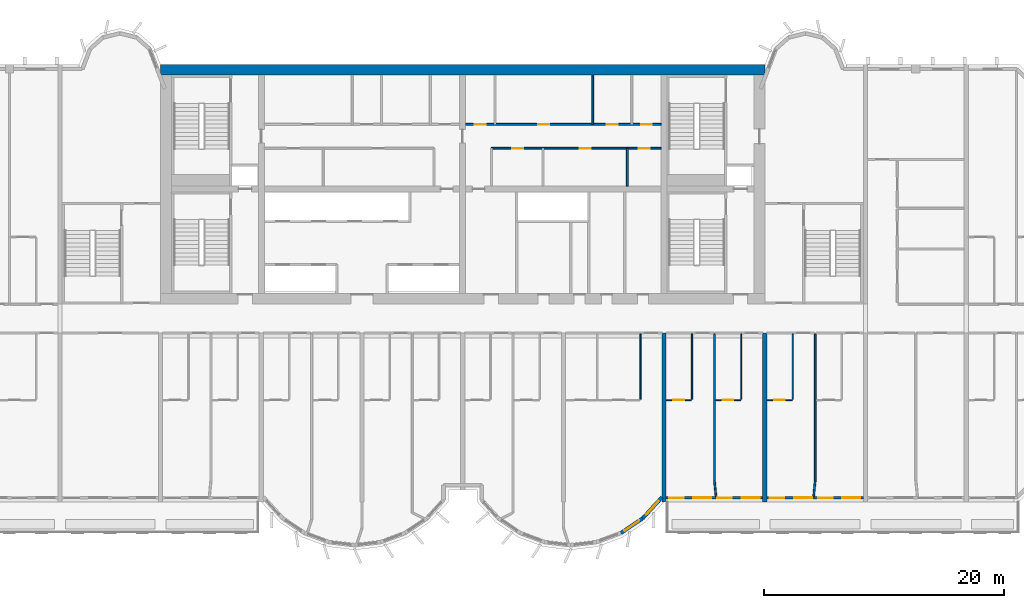
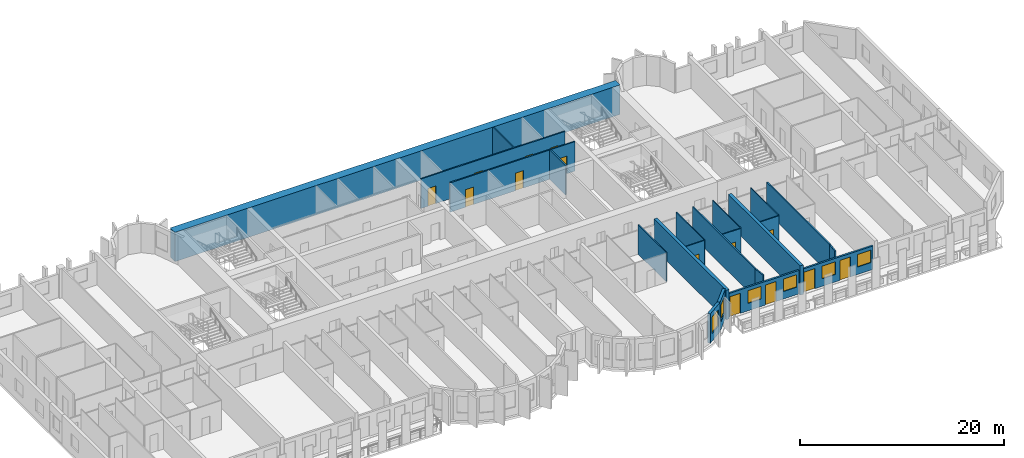
# One storey, part 8 of 15: 22 walls, 14 doors, 6 windows, 20 openings.
"""IFC4 building model written with IfcOpenShell, lengths in metres."""

from ifc_helpers import new_model, si_unit, direction, frame, frame_2d, origin, place, context, subcontext, project, spatial, rectangle, extrude, source, transform, mapped, material, layer, layer_set, type_object, element, fill, save


model = new_model("IFC4")

# Units and contexts
model_context = context("Model", 3, precision=1e-05, world=origin(), true_north=direction((0.0, 1.0)))
body_context = subcontext(model_context, "Body", "Model", "MODEL_VIEW")
ifc_project = project(units=[si_unit("LENGTHUNIT", "METRE"), si_unit("AREAUNIT", "SQUARE_METRE"), si_unit("VOLUMEUNIT", "CUBIC_METRE"), si_unit("PLANEANGLEUNIT", "RADIAN"), si_unit("MASSUNIT", "GRAM", prefix="KILO")], contexts=[model_context])

# Site, building, storey
site_placement = place(None, origin())
site = spatial("IfcSite", under=ifc_project, at=site_placement, CompositionType="ELEMENT")
building_placement = place(site_placement, origin())
building = spatial("IfcBuilding", under=site, at=building_placement, Name="Vanashikhar Sky Hotel", CompositionType="ELEMENT")
storey_placement = place(building_placement, frame((0.0, 0.0, 95.199951171875)))
storey = spatial("IfcBuildingStorey", under=building, at=storey_placement, Name="L22", CompositionType="ELEMENT", Elevation=95.199951171875)

# Walls
ifc_material_1 = material(Name="Concrete M70", Category="concrete")
ifc_layer_1 = layer(ifc_material_1, 0.89990234375)
ifc_layer_set_1 = layer_set([ifc_layer_1], Name="RC core shell wall 900 Concrete M70")
wall_type_1 = type_object("IfcWallType", Name="RC core shell wall 900 Concrete M70", PredefinedType="SHEAR", material=ifc_layer_set_1)
shared_shape_1 = source(origin(), body_context, "Body", "SweptSolid", [
    extrude(rectangle(XDim=50.400146484375, YDim=0.89990234375, at=frame_2d((25.2001953125, 0.0))), origin(), (0.0, 0.0, 1.0), 3.52001953125),
])
wall_1_placement = place(storey_placement, frame((25.199951171875, 41.550048828125, 0.0), z_axis=(0.0, 0.0, 1.0), x_axis=(1.0, 0.0, 0.0)))
element("IfcWall", 1, at=wall_1_placement, inside=storey, type_object=wall_type_1, Name="KW-L22-KN", PredefinedType="SHEAR", context=body_context, shape_type="MappedRepresentation", body=[
    mapped(shared_shape_1, transform((0.0, 0.0, 0.0), scale=1.0)),
])
ifc_layer_2 = layer(ifc_material_1, 0.35009765625)
ifc_layer_set_2 = layer_set([ifc_layer_2], Name="RC shear wall 350 Concrete M70")
wall_type_2 = type_object("IfcWallType", Name="RC shear wall 350 Concrete M70", PredefinedType="SHEAR", material=ifc_layer_set_2)
shared_shape_2 = source(origin(), body_context, "Body", "SweptSolid", [
    extrude(rectangle(XDim=14.10009765625, YDim=0.35009765625, at=frame_2d((7.050048828125, 0.0))), origin(), (0.0, 0.0, 1.0), 3.52001953125),
])
for number, where, z_axis, x_axis, name in (
    (2, (67.199951171875, 5.5, 0.0), (0.0, 0.0, 1.0), (0.0, 1.0, 0.0), "CW-L22-XW09-1"),
    (3, (75.60009765625, 5.5, 0.0), (0.0, 0.0, 1.0), (0.0, 1.0, 0.0), "CW-L22-XW10-1"),
):
    element("IfcWall", number, at=place(storey_placement, frame(where, z_axis=z_axis, x_axis=x_axis)), inside=storey, type_object=wall_type_2, Name=name, PredefinedType="SHEAR", context=body_context, shape_type="MappedRepresentation", body=[
        mapped(shared_shape_2, transform((0.0, 0.0, 0.0), scale=1.0)),
    ])

# Wall, opening, window
ifc_material_2 = material(Name="Concrete M50", Category="concrete")
ifc_layer_3 = layer(ifc_material_2, 0.300048828125)
ifc_layer_set_3 = layer_set([ifc_layer_3], Name="Lobe wall 300")
wall_type_3 = type_object("IfcWallType", Name="Lobe wall 300", PredefinedType="SOLIDWALL", material=ifc_layer_set_3)
shared_shape_3 = source(origin(), body_context, "Body", "SweptSolid", [
    extrude(rectangle(XDim=2.398193359375, YDim=0.300048828125, at=frame_2d((1.19921875, 0.0))), origin(), (0.0, 0.0, 1.0), 3.52001953125),
])
wall_2_placement = place(storey_placement, frame((65.404296875, 4.13134765625, 0.0), z_axis=(0.0, 0.0, 1.0), x_axis=(0.675374189419, 0.737475222815, 0.0)))
wall_2 = element("IfcWall", 4, at=wall_2_placement, inside=storey, type_object=wall_type_3, Name="Lobe wall", PredefinedType="SOLIDWALL", context=body_context, shape_type="MappedRepresentation", body=[
    mapped(shared_shape_3, transform((0.0, 0.0, 0.0), scale=1.0)),
])
shared_shape_4 = source(origin(), body_context, "Body", "SweptSolid", [
    extrude(rectangle(XDim=1.5, YDim=2.0, at=frame_2d((0.75, 1.0))), frame((0.0, 0.16015625, 0.0), z_axis=(0.0, -1.0, 0.0), x_axis=(1.0, 0.0, 0.0)), (0.0, 0.0, 1.0), 0.320068359375),
])
opening_1_placement = place(wall_2_placement, frame((0.44921875, 0.0, 0.89990234375)))
opening_1 = element("IfcOpeningElement", 5, at=opening_1_placement, cuts=wall_2, Name="Opening WN-2", PredefinedType="OPENING", context=body_context, shape_type="MappedRepresentation", body=[
    mapped(shared_shape_4, transform((0.0, 0.0, 0.0), scale=1.0)),
])
ifc_material_3 = material(Name="Glass", Category="glass")
window_type_1 = type_object("IfcWindowType", Name="Lobe window 1500 x 2000", PartitioningType="SINGLE_PANEL", PredefinedType="WINDOW", material=ifc_material_3)
shared_shape_5 = source(origin(), body_context, "Body", "SweptSolid", [
    extrude(rectangle(XDim=1.5, YDim=2.0, at=frame_2d((0.75, 1.0))), frame((0.0, 0.030029296875, 0.0), z_axis=(0.0, -1.0, 0.0), x_axis=(1.0, 0.0, 0.0)), (0.0, 0.0, 1.0), 0.06005859375),
])
window_1_placement = place(opening_1_placement, origin())
window_1 = element("IfcWindow", 6, at=window_1_placement, inside=storey, type_object=window_type_1, Name="Window WN-2", OverallHeight=2.0, OverallWidth=1.5, PartitioningType="SINGLE_PANEL", PredefinedType="WINDOW", context=body_context, shape_type="MappedRepresentation", body=[
    mapped(shared_shape_5, transform((0.0, 0.0, 0.0), scale=1.0)),
])
fill(opening_1, window_1)

shared_shape_6 = source(origin(), body_context, "Body", "SweptSolid", [
    extrude(rectangle(XDim=2.17578125, YDim=0.300048828125, at=frame_2d((1.087890625, 0.0))), origin(), (0.0, 0.0, 1.0), 3.52001953125),
])
wall_3_placement = place(storey_placement, frame((63.59912109375, 2.91650390625, 0.0), z_axis=(0.0, 0.0, 1.0), x_axis=(0.829625727223, 0.558319937607, 0.0)))
wall_3 = element("IfcWall", 7, at=wall_3_placement, inside=storey, type_object=wall_type_3, Name="Lobe wall", PredefinedType="SOLIDWALL", context=body_context, shape_type="MappedRepresentation", body=[
    mapped(shared_shape_6, transform((0.0, 0.0, 0.0), scale=1.0)),
])
opening_2_placement = place(wall_3_placement, frame((0.337890625, 0.0, 0.89990234375)))
opening_2 = element("IfcOpeningElement", 8, at=opening_2_placement, cuts=wall_3, Name="Opening WN-2", PredefinedType="OPENING", context=body_context, shape_type="MappedRepresentation", body=[
    mapped(shared_shape_4, transform((0.0, 0.0, 0.0), scale=1.0)),
])
window_2_placement = place(opening_2_placement, origin())
window_2 = element("IfcWindow", 9, at=window_2_placement, inside=storey, type_object=window_type_1, Name="Window WN-2", OverallHeight=2.0, OverallWidth=1.5, PartitioningType="SINGLE_PANEL", PredefinedType="WINDOW", context=body_context, shape_type="MappedRepresentation", body=[
    mapped(shared_shape_5, transform((0.0, 0.0, 0.0), scale=1.0)),
])
fill(opening_2, window_2)

# Wall, openings, windows, doors
ifc_layer_4 = layer(ifc_material_2, 0.199951171875)
ifc_layer_set_4 = layer_set([ifc_layer_4], Name="Front window wall 200")
wall_type_4 = type_object("IfcWallType", Name="Front window wall 200", PredefinedType="SOLIDWALL", material=ifc_layer_set_4)
shared_shape_7 = source(origin(), body_context, "Body", "SweptSolid", [
    extrude(rectangle(XDim=8.050048828125, YDim=0.199951171875, at=frame_2d((4.02490234375, 0.0))), origin(), (0.0, 0.0, 1.0), 2.820068359375),
])
wall_4_placement = place(storey_placement, frame((67.375, 5.85009765625, 0.0), z_axis=(0.0, 0.0, 1.0), x_axis=(1.0, 0.0, 0.0)))
wall_4 = element("IfcWall", 10, at=wall_4_placement, inside=storey, type_object=wall_type_4, Name="Front window wall", PredefinedType="SOLIDWALL", context=body_context, shape_type="MappedRepresentation", body=[
    mapped(shared_shape_7, transform((0.0, 0.0, 0.0), scale=1.0)),
])
shared_shape_8 = source(origin(), body_context, "Body", "SweptSolid", [
    extrude(rectangle(XDim=1.199951171875, YDim=2.39990234375, at=frame_2d((0.60009765625, 1.199951171875))), frame((0.0, 0.10986328125, 0.0), z_axis=(0.0, -1.0, 0.0), x_axis=(1.0, 0.0, 0.0)), (0.0, 0.0, 1.0), 0.219970703125),
])
opening_3_placement = place(wall_4_placement, frame((0.25, 0.0, 0.0)))
opening_3 = element("IfcOpeningElement", 11, at=opening_3_placement, cuts=wall_4, Name="Opening BD-08", PredefinedType="OPENING", context=body_context, shape_type="MappedRepresentation", body=[
    mapped(shared_shape_8, transform((0.0, 0.0, 0.0), scale=1.0)),
])
shared_shape_9 = source(origin(), body_context, "Body", "SweptSolid", [
    extrude(rectangle(XDim=1.5, YDim=1.5, at=frame_2d((0.75, 0.75))), frame((0.0, 0.10986328125, 0.0), z_axis=(0.0, -1.0, 0.0), x_axis=(1.0, 0.0, 0.0)), (0.0, 0.0, 1.0), 0.219970703125),
])
opening_4_placement = place(wall_4_placement, frame((2.27490234375, 0.0, 0.89990234375)))
opening_4 = element("IfcOpeningElement", 12, at=opening_4_placement, cuts=wall_4, Name="Opening WN-1", PredefinedType="OPENING", context=body_context, shape_type="MappedRepresentation", body=[
    mapped(shared_shape_9, transform((0.0, 0.0, 0.0), scale=1.0)),
])
opening_5_placement = place(wall_4_placement, frame((4.27490234375, 0.0, 0.0)))
opening_5 = element("IfcOpeningElement", 13, at=opening_5_placement, cuts=wall_4, Name="Opening BD-09", PredefinedType="OPENING", context=body_context, shape_type="MappedRepresentation", body=[
    mapped(shared_shape_8, transform((0.0, 0.0, 0.0), scale=1.0)),
])
opening_6_placement = place(wall_4_placement, frame((6.300048828125, 0.0, 0.89990234375)))
opening_6 = element("IfcOpeningElement", 14, at=opening_6_placement, cuts=wall_4, Name="Opening WN-1", PredefinedType="OPENING", context=body_context, shape_type="MappedRepresentation", body=[
    mapped(shared_shape_9, transform((0.0, 0.0, 0.0), scale=1.0)),
])
window_type_2 = type_object("IfcWindowType", Name="Window 1500 x 1500", PartitioningType="SINGLE_PANEL", PredefinedType="WINDOW", material=ifc_material_3)
shared_shape_10 = source(origin(), body_context, "Body", "SweptSolid", [
    extrude(rectangle(XDim=1.5, YDim=1.5, at=frame_2d((0.75, 0.75))), frame((0.0, 0.030029296875, 0.0), z_axis=(0.0, -1.0, 0.0), x_axis=(1.0, 0.0, 0.0)), (0.0, 0.0, 1.0), 0.06005859375),
])
window_3_placement = place(opening_4_placement, origin())
window_3 = element("IfcWindow", 15, at=window_3_placement, inside=storey, type_object=window_type_2, Name="Window WN-1", OverallHeight=1.5, OverallWidth=1.5, PartitioningType="SINGLE_PANEL", PredefinedType="WINDOW", context=body_context, shape_type="MappedRepresentation", body=[
    mapped(shared_shape_10, transform((0.0, 0.0, 0.0), scale=1.0)),
])
fill(opening_4, window_3)
window_4_placement = place(opening_6_placement, origin())
window_4 = element("IfcWindow", 16, at=window_4_placement, inside=storey, type_object=window_type_2, Name="Window WN-1", OverallHeight=1.5, OverallWidth=1.5, PartitioningType="SINGLE_PANEL", PredefinedType="WINDOW", context=body_context, shape_type="MappedRepresentation", body=[
    mapped(shared_shape_10, transform((0.0, 0.0, 0.0), scale=1.0)),
])
fill(opening_6, window_4)
ifc_material_4 = material(Name="Aluminium", Category="aluminium")
door_type_1 = type_object("IfcDoorType", Name="Balcony sliding door 1200 x 2400", OperationType="NOTDEFINED", PredefinedType="DOOR", material=ifc_material_4)
shared_shape_11 = source(origin(), body_context, "Body", "SweptSolid", [
    extrude(rectangle(XDim=1.199951171875, YDim=2.39990234375, at=frame_2d((0.60009765625, 1.199951171875))), frame((0.0, 0.02490234375, 0.0), z_axis=(0.0, -1.0, 0.0), x_axis=(1.0, 0.0, 0.0)), (0.0, 0.0, 1.0), 0.050048828125),
])
door_1_placement = place(opening_3_placement, origin())
door_1 = element("IfcDoor", 17, at=door_1_placement, inside=storey, type_object=door_type_1, Name="Balcony sliding door", OperationType="SLIDING_TO_RIGHT", OverallHeight=2.39990234375, OverallWidth=1.199951171875, PredefinedType="DOOR", context=body_context, shape_type="MappedRepresentation", body=[
    mapped(shared_shape_11, transform((0.0, 0.0, 0.0), scale=1.0)),
])
fill(opening_3, door_1)
door_2_placement = place(opening_5_placement, origin())
door_2 = element("IfcDoor", 18, at=door_2_placement, inside=storey, type_object=door_type_1, Name="Balcony sliding door", OperationType="SLIDING_TO_LEFT", OverallHeight=2.39990234375, OverallWidth=1.199951171875, PredefinedType="DOOR", context=body_context, shape_type="MappedRepresentation", body=[
    mapped(shared_shape_11, transform((0.0, 0.0, 0.0), scale=1.0)),
])
fill(opening_5, door_2)

wall_5_placement = place(storey_placement, frame((75.77490234375, 5.85009765625, 0.0), z_axis=(0.0, 0.0, 1.0), x_axis=(1.0, 0.0, 0.0)))
wall_5 = element("IfcWall", 19, at=wall_5_placement, inside=storey, type_object=wall_type_4, Name="Front window wall", PredefinedType="SOLIDWALL", context=body_context, shape_type="MappedRepresentation", body=[
    mapped(shared_shape_7, transform((0.0, 0.0, 0.0), scale=1.0)),
])
opening_7_placement = place(wall_5_placement, frame((0.25, 0.0, 0.0)))
opening_7 = element("IfcOpeningElement", 20, at=opening_7_placement, cuts=wall_5, Name="Opening BD-10", PredefinedType="OPENING", context=body_context, shape_type="MappedRepresentation", body=[
    mapped(shared_shape_8, transform((0.0, 0.0, 0.0), scale=1.0)),
])
opening_8_placement = place(wall_5_placement, frame((2.27490234375, 0.0, 0.89990234375)))
opening_8 = element("IfcOpeningElement", 21, at=opening_8_placement, cuts=wall_5, Name="Opening WN-1", PredefinedType="OPENING", context=body_context, shape_type="MappedRepresentation", body=[
    mapped(shared_shape_9, transform((0.0, 0.0, 0.0), scale=1.0)),
])
opening_9_placement = place(wall_5_placement, frame((4.27490234375, 0.0, 0.0)))
opening_9 = element("IfcOpeningElement", 22, at=opening_9_placement, cuts=wall_5, Name="Opening BD-11", PredefinedType="OPENING", context=body_context, shape_type="MappedRepresentation", body=[
    mapped(shared_shape_8, transform((0.0, 0.0, 0.0), scale=1.0)),
])
opening_10_placement = place(wall_5_placement, frame((6.300048828125, 0.0, 0.89990234375)))
opening_10 = element("IfcOpeningElement", 23, at=opening_10_placement, cuts=wall_5, Name="Opening WN-1", PredefinedType="OPENING", context=body_context, shape_type="MappedRepresentation", body=[
    mapped(shared_shape_9, transform((0.0, 0.0, 0.0), scale=1.0)),
])
window_5_placement = place(opening_8_placement, origin())
window_5 = element("IfcWindow", 24, at=window_5_placement, inside=storey, type_object=window_type_2, Name="Window WN-1", OverallHeight=1.5, OverallWidth=1.5, PartitioningType="SINGLE_PANEL", PredefinedType="WINDOW", context=body_context, shape_type="MappedRepresentation", body=[
    mapped(shared_shape_10, transform((0.0, 0.0, 0.0), scale=1.0)),
])
fill(opening_8, window_5)
window_6_placement = place(opening_10_placement, origin())
window_6 = element("IfcWindow", 25, at=window_6_placement, inside=storey, type_object=window_type_2, Name="Window WN-1", OverallHeight=1.5, OverallWidth=1.5, PartitioningType="SINGLE_PANEL", PredefinedType="WINDOW", context=body_context, shape_type="MappedRepresentation", body=[
    mapped(shared_shape_10, transform((0.0, 0.0, 0.0), scale=1.0)),
])
fill(opening_10, window_6)
door_3_placement = place(opening_7_placement, origin())
door_3 = element("IfcDoor", 26, at=door_3_placement, inside=storey, type_object=door_type_1, Name="Balcony sliding door", OperationType="SLIDING_TO_RIGHT", OverallHeight=2.39990234375, OverallWidth=1.199951171875, PredefinedType="DOOR", context=body_context, shape_type="MappedRepresentation", body=[
    mapped(shared_shape_11, transform((0.0, 0.0, 0.0), scale=1.0)),
])
fill(opening_7, door_3)
door_4_placement = place(opening_9_placement, origin())
door_4 = element("IfcDoor", 27, at=door_4_placement, inside=storey, type_object=door_type_1, Name="Balcony sliding door", OperationType="SLIDING_TO_LEFT", OverallHeight=2.39990234375, OverallWidth=1.199951171875, PredefinedType="DOOR", context=body_context, shape_type="MappedRepresentation", body=[
    mapped(shared_shape_11, transform((0.0, 0.0, 0.0), scale=1.0)),
])
fill(opening_9, door_4)

# Wall
ifc_material_5 = material(Name="Gypsum board partition")
ifc_layer_5 = layer(ifc_material_5, 0.14990234375)
ifc_layer_set_5 = layer_set([ifc_layer_5], Name="Service partition 150")
wall_type_5 = type_object("IfcWallType", Name="Service partition 150", PredefinedType="PARTITIONING", material=ifc_layer_set_5)
shared_shape_12 = source(origin(), body_context, "Body", "SweptSolid", [
    extrude(rectangle(XDim=3.14990234375, YDim=0.14990234375, at=frame_2d((1.574951171875, 0.0))), origin(), (0.0, 0.0, 1.0), 3.52001953125),
])
wall_6_placement = place(storey_placement, frame((64.135009765625, 31.85009765625, 0.0), z_axis=(0.0, 0.0, 1.0), x_axis=(0.0, 1.0, 0.0)))
element("IfcWall", 28, at=wall_6_placement, inside=storey, type_object=wall_type_5, Name="Service partition 150", PredefinedType="PARTITIONING", context=body_context, shape_type="MappedRepresentation", body=[
    mapped(shared_shape_12, transform((0.0, 0.0, 0.0), scale=1.0)),
])

# Wall, openings, doors
shared_shape_13 = source(origin(), body_context, "Body", "SweptSolid", [
    extrude(rectangle(XDim=14.14990234375, YDim=0.14990234375, at=frame_2d((7.074951171875, 0.0))), origin(), (0.0, 0.0, 1.0), 3.52001953125),
])
wall_7_placement = place(storey_placement, frame((66.949951171875, 35.0, 0.0), z_axis=(0.0, 0.0, 1.0), x_axis=(-1.0, 0.0, 0.0)))
wall_7 = element("IfcWall", 29, at=wall_7_placement, inside=storey, type_object=wall_type_5, Name="Service partition 150", PredefinedType="PARTITIONING", context=body_context, shape_type="MappedRepresentation", body=[
    mapped(shared_shape_13, transform((0.0, 0.0, 0.0), scale=1.0)),
])
shared_shape_14 = source(origin(), body_context, "Body", "SweptSolid", [
    extrude(rectangle(XDim=0.89990234375, YDim=2.10009765625, at=frame_2d((0.449951171875, 1.050048828125))), frame((0.0, 0.0849609375, 0.0), z_axis=(0.0, -1.0, 0.0), x_axis=(1.0, 0.0, 0.0)), (0.0, 0.0, 1.0), 0.169921875),
])
opening_11_placement = place(wall_7_placement, frame((0.9580078125, 0.0, 0.0)))
opening_11 = element("IfcOpeningElement", 30, at=opening_11_placement, cuts=wall_7, Name="Opening DC-4-A", PredefinedType="OPENING", context=body_context, shape_type="MappedRepresentation", body=[
    mapped(shared_shape_14, transform((0.0, 0.0, 0.0), scale=1.0)),
])
opening_12_placement = place(wall_7_placement, frame((5.884033203125, 0.0, 0.0)))
opening_12 = element("IfcOpeningElement", 31, at=opening_12_placement, cuts=wall_7, Name="Opening DC-4-A", PredefinedType="OPENING", context=body_context, shape_type="MappedRepresentation", body=[
    mapped(shared_shape_14, transform((0.0, 0.0, 0.0), scale=1.0)),
])
opening_13_placement = place(wall_7_placement, frame((11.513916015625, 0.0, 0.0)))
opening_13 = element("IfcOpeningElement", 32, at=opening_13_placement, cuts=wall_7, Name="Opening DC-4-A", PredefinedType="OPENING", context=body_context, shape_type="MappedRepresentation", body=[
    mapped(shared_shape_14, transform((0.0, 0.0, 0.0), scale=1.0)),
])
ifc_material_6 = material(Name="Steel", Category="steel")
door_type_2 = type_object("IfcDoorType", Name="Service door 900 FD60", OperationType="NOTDEFINED", PredefinedType="DOOR", material=ifc_material_6)
shared_shape_15 = source(origin(), body_context, "Body", "SweptSolid", [
    extrude(rectangle(XDim=0.89990234375, YDim=2.10009765625, at=frame_2d((0.449951171875, 1.050048828125))), frame((0.0, 0.02490234375, 0.0), z_axis=(0.0, -1.0, 0.0), x_axis=(1.0, 0.0, 0.0)), (0.0, 0.0, 1.0), 0.050048828125),
])
door_5_placement = place(opening_11_placement, origin())
door_5 = element("IfcDoor", 33, at=door_5_placement, inside=storey, type_object=door_type_2, Name="Service door 900 FD60", OperationType="SINGLE_SWING_RIGHT", OverallHeight=2.10009765625, OverallWidth=0.89990234375, PredefinedType="DOOR", context=body_context, shape_type="MappedRepresentation", body=[
    mapped(shared_shape_15, transform((0.0, 0.0, 0.0), scale=1.0)),
])
fill(opening_11, door_5)
door_6_placement = place(opening_12_placement, origin())
door_6 = element("IfcDoor", 34, at=door_6_placement, inside=storey, type_object=door_type_2, Name="Service door 900 FD60", OperationType="SINGLE_SWING_RIGHT", OverallHeight=2.10009765625, OverallWidth=0.89990234375, PredefinedType="DOOR", context=body_context, shape_type="MappedRepresentation", body=[
    mapped(shared_shape_15, transform((0.0, 0.0, 0.0), scale=1.0)),
])
fill(opening_12, door_6)
door_7_placement = place(opening_13_placement, origin())
door_7 = element("IfcDoor", 35, at=door_7_placement, inside=storey, type_object=door_type_2, Name="Service door 900 FD60", OperationType="SINGLE_SWING_LEFT", OverallHeight=2.10009765625, OverallWidth=0.89990234375, PredefinedType="DOOR", context=body_context, shape_type="MappedRepresentation", body=[
    mapped(shared_shape_15, transform((0.0, 0.0, 0.0), scale=1.0)),
])
fill(opening_13, door_7)

# Wall
shared_shape_16 = source(origin(), body_context, "Body", "SweptSolid", [
    extrude(rectangle(XDim=4.10009765625, YDim=0.14990234375, at=frame_2d((2.050048828125, 0.0))), origin(), (0.0, 0.0, 1.0), 3.52001953125),
])
wall_8_placement = place(storey_placement, frame((61.2451171875, 37.0, 0.0), z_axis=(0.0, 0.0, 1.0), x_axis=(0.0, 1.0, 0.0)))
element("IfcWall", 36, at=wall_8_placement, inside=storey, type_object=wall_type_5, Name="Service partition 150", PredefinedType="PARTITIONING", context=body_context, shape_type="MappedRepresentation", body=[
    mapped(shared_shape_16, transform((0.0, 0.0, 0.0), scale=1.0)),
])

# Wall, openings, doors
shared_shape_17 = source(origin(), body_context, "Body", "SweptSolid", [
    extrude(rectangle(XDim=16.300048828125, YDim=0.14990234375, at=frame_2d((8.14990234375, 0.0))), origin(), (0.0, 0.0, 1.0), 3.52001953125),
])
wall_9_placement = place(storey_placement, frame((66.949951171875, 37.0, 0.0), z_axis=(0.0, 0.0, 1.0), x_axis=(-1.0, 0.0, 0.0)))
wall_9 = element("IfcWall", 37, at=wall_9_placement, inside=storey, type_object=wall_type_5, Name="Service partition 150", PredefinedType="PARTITIONING", context=body_context, shape_type="MappedRepresentation", body=[
    mapped(shared_shape_17, transform((0.0, 0.0, 0.0), scale=1.0)),
])
opening_14_placement = place(wall_9_placement, frame((0.77294921875, 0.0, 0.0)))
opening_14 = element("IfcOpeningElement", 38, at=opening_14_placement, cuts=wall_9, Name="Opening DC-4-A", PredefinedType="OPENING", context=body_context, shape_type="MappedRepresentation", body=[
    mapped(shared_shape_14, transform((0.0, 0.0, 0.0), scale=1.0)),
])
opening_15_placement = place(wall_9_placement, frame((3.625, 0.0, 0.0)))
opening_15 = element("IfcOpeningElement", 39, at=opening_15_placement, cuts=wall_9, Name="Opening DC-4-A", PredefinedType="OPENING", context=body_context, shape_type="MappedRepresentation", body=[
    mapped(shared_shape_14, transform((0.0, 0.0, 0.0), scale=1.0)),
])
opening_16_placement = place(wall_9_placement, frame((9.330078125, 0.0, 0.0)))
opening_16 = element("IfcOpeningElement", 40, at=opening_16_placement, cuts=wall_9, Name="Opening DC-4-A", PredefinedType="OPENING", context=body_context, shape_type="MappedRepresentation", body=[
    mapped(shared_shape_14, transform((0.0, 0.0, 0.0), scale=1.0)),
])
opening_17_placement = place(wall_9_placement, frame((14.626953125, 0.0, 0.0)))
opening_17 = element("IfcOpeningElement", 41, at=opening_17_placement, cuts=wall_9, Name="Opening DC-4-A", PredefinedType="OPENING", context=body_context, shape_type="MappedRepresentation", body=[
    mapped(shared_shape_14, transform((0.0, 0.0, 0.0), scale=1.0)),
])
door_8_placement = place(opening_14_placement, origin())
door_8 = element("IfcDoor", 42, at=door_8_placement, inside=storey, type_object=door_type_2, Name="Service door 900 FD60", OperationType="SINGLE_SWING_LEFT", OverallHeight=2.10009765625, OverallWidth=0.89990234375, PredefinedType="DOOR", context=body_context, shape_type="MappedRepresentation", body=[
    mapped(shared_shape_15, transform((0.0, 0.0, 0.0), scale=1.0)),
])
fill(opening_14, door_8)
door_9_placement = place(opening_15_placement, origin())
door_9 = element("IfcDoor", 43, at=door_9_placement, inside=storey, type_object=door_type_2, Name="Service door 900 FD60", OperationType="SINGLE_SWING_RIGHT", OverallHeight=2.10009765625, OverallWidth=0.89990234375, PredefinedType="DOOR", context=body_context, shape_type="MappedRepresentation", body=[
    mapped(shared_shape_15, transform((0.0, 0.0, 0.0), scale=1.0)),
])
fill(opening_15, door_9)
door_10_placement = place(opening_16_placement, origin())
door_10 = element("IfcDoor", 44, at=door_10_placement, inside=storey, type_object=door_type_2, Name="Service door 900 FD60", OperationType="SINGLE_SWING_RIGHT", OverallHeight=2.10009765625, OverallWidth=0.89990234375, PredefinedType="DOOR", context=body_context, shape_type="MappedRepresentation", body=[
    mapped(shared_shape_15, transform((0.0, 0.0, 0.0), scale=1.0)),
])
fill(opening_16, door_10)
door_11_placement = place(opening_17_placement, origin())
door_11 = element("IfcDoor", 45, at=door_11_placement, inside=storey, type_object=door_type_2, Name="Service door 900 FD60", OperationType="SINGLE_SWING_RIGHT", OverallHeight=2.10009765625, OverallWidth=0.89990234375, PredefinedType="DOOR", context=body_context, shape_type="MappedRepresentation", body=[
    mapped(shared_shape_15, transform((0.0, 0.0, 0.0), scale=1.0)),
])
fill(opening_17, door_11)

# Walls
ifc_material_7 = material(Name="Gypsum plasterboard partition")
ifc_layer_6 = layer(ifc_material_7, 0.10009765625)
ifc_layer_set_6 = layer_set([ifc_layer_6], Name="Wet room partition 100")
wall_type_6 = type_object("IfcWallType", Name="Wet room partition 100", PredefinedType="PARTITIONING", material=ifc_layer_set_6)
shared_shape_18 = source(origin(), body_context, "Body", "SweptSolid", [
    extrude(rectangle(XDim=5.449951171875, YDim=0.10009765625, at=frame_2d((2.72509765625, 0.0))), origin(), (0.0, 0.0, 1.0), 3.52001953125),
])
for number, where, z_axis, x_axis, name in (
    (46, (65.22509765625, 14.074951171875, 0.0), (0.0, 0.0, 1.0), (0.0, 1.0, 0.0), "W-L22-PW042"),
    (47, (69.52490234375, 14.074951171875, 0.0), (0.0, 0.0, 1.0), (0.0, 1.0, 0.0), "W-L22-PW047"),
    (48, (73.625, 14.074951171875, 0.0), (0.0, 0.0, 1.0), (0.0, 1.0, 0.0), "W-L22-PW050"),
    (49, (77.925048828125, 14.074951171875, 0.0), (0.0, 0.0, 1.0), (0.0, 1.0, 0.0), "W-L22-PW054"),
):
    element("IfcWall", number, at=place(storey_placement, frame(where, z_axis=z_axis, x_axis=x_axis)), inside=storey, type_object=wall_type_6, Name=name, PredefinedType="PARTITIONING", context=body_context, shape_type="MappedRepresentation", body=[
        mapped(shared_shape_18, transform((0.0, 0.0, 0.0), scale=1.0)),
    ])

# Wall, opening, door
shared_shape_19 = source(origin(), body_context, "Body", "SweptSolid", [
    extrude(rectangle(XDim=2.10009765625, YDim=0.10009765625, at=frame_2d((1.050048828125, 0.0))), origin(), (0.0, 0.0, 1.0), 3.52001953125),
])
wall_10_placement = place(storey_placement, frame((67.375, 14.0, 0.0), z_axis=(0.0, 0.0, 1.0), x_axis=(1.0, 0.0, 0.0)))
wall_10 = element("IfcWall", 50, at=wall_10_placement, inside=storey, type_object=wall_type_6, Name="W-L22-PW048", PredefinedType="PARTITIONING", context=body_context, shape_type="MappedRepresentation", body=[
    mapped(shared_shape_19, transform((0.0, 0.0, 0.0), scale=1.0)),
])
shared_shape_20 = source(origin(), body_context, "Body", "SweptSolid", [
    extrude(rectangle(XDim=0.89990234375, YDim=2.10009765625, at=frame_2d((0.449951171875, 1.050048828125))), frame((0.0, 0.06005859375, 0.0), z_axis=(0.0, -1.0, 0.0), x_axis=(1.0, 0.0, 0.0)), (0.0, 0.0, 1.0), 0.1201171875),
])
opening_18_placement = place(wall_10_placement, frame((0.60009765625, 0.0, 0.0)))
opening_18 = element("IfcOpeningElement", 51, at=opening_18_placement, cuts=wall_10, Name="Opening D-02", PredefinedType="OPENING", context=body_context, shape_type="MappedRepresentation", body=[
    mapped(shared_shape_20, transform((0.0, 0.0, 0.0), scale=1.0)),
])
ifc_material_8 = material(Name="Timber door", Category="wood")
door_type_3 = type_object("IfcDoorType", Name="Internal door 900", OperationType="NOTDEFINED", PredefinedType="DOOR", material=ifc_material_8)
door_12_placement = place(opening_18_placement, origin())
door_12 = element("IfcDoor", 52, at=door_12_placement, inside=storey, type_object=door_type_3, Name="D-L22-028", OperationType="SINGLE_SWING_RIGHT", OverallHeight=2.10009765625, OverallWidth=0.89990234375, PredefinedType="DOOR", context=body_context, shape_type="MappedRepresentation", body=[
    mapped(shared_shape_15, transform((0.0, 0.0, 0.0), scale=1.0)),
])
fill(opening_18, door_12)

wall_11_placement = place(storey_placement, frame((75.77490234375, 14.0, 0.0), z_axis=(0.0, 0.0, 1.0), x_axis=(1.0, 0.0, 0.0)))
wall_11 = element("IfcWall", 53, at=wall_11_placement, inside=storey, type_object=wall_type_6, Name="W-L22-PW055", PredefinedType="PARTITIONING", context=body_context, shape_type="MappedRepresentation", body=[
    mapped(shared_shape_19, transform((0.0, 0.0, 0.0), scale=1.0)),
])
opening_19_placement = place(wall_11_placement, frame((0.60009765625, 0.0, 0.0)))
opening_19 = element("IfcOpeningElement", 54, at=opening_19_placement, cuts=wall_11, Name="Opening D-02", PredefinedType="OPENING", context=body_context, shape_type="MappedRepresentation", body=[
    mapped(shared_shape_20, transform((0.0, 0.0, 0.0), scale=1.0)),
])
door_13_placement = place(opening_19_placement, origin())
door_13 = element("IfcDoor", 55, at=door_13_placement, inside=storey, type_object=door_type_3, Name="D-L22-032", OperationType="SINGLE_SWING_RIGHT", OverallHeight=2.10009765625, OverallWidth=0.89990234375, PredefinedType="DOOR", context=body_context, shape_type="MappedRepresentation", body=[
    mapped(shared_shape_15, transform((0.0, 0.0, 0.0), scale=1.0)),
])
fill(opening_19, door_13)

shared_shape_21 = source(origin(), body_context, "Body", "SweptSolid", [
    extrude(rectangle(XDim=2.099853515625, YDim=0.10009765625, at=frame_2d((1.0498046875, 0.0))), origin(), (0.0, 0.0, 1.0), 3.52001953125),
])
wall_12_placement = place(storey_placement, frame((71.47509765625, 14.0, 0.0), z_axis=(0.0, 0.0, 1.0), x_axis=(1.0, 0.0, 0.0)))
wall_12 = element("IfcWall", 56, at=wall_12_placement, inside=storey, type_object=wall_type_6, Name="W-L22-PW051", PredefinedType="PARTITIONING", context=body_context, shape_type="MappedRepresentation", body=[
    mapped(shared_shape_21, transform((0.0, 0.0, 0.0), scale=1.0)),
])
opening_20_placement = place(wall_12_placement, frame((0.60009765625, 0.0, 0.0)))
opening_20 = element("IfcOpeningElement", 57, at=opening_20_placement, cuts=wall_12, Name="Opening D-02", PredefinedType="OPENING", context=body_context, shape_type="MappedRepresentation", body=[
    mapped(shared_shape_20, transform((0.0, 0.0, 0.0), scale=1.0)),
])
door_14_placement = place(opening_20_placement, origin())
door_14 = element("IfcDoor", 58, at=door_14_placement, inside=storey, type_object=door_type_3, Name="D-L22-030", OperationType="SINGLE_SWING_RIGHT", OverallHeight=2.10009765625, OverallWidth=0.89990234375, PredefinedType="DOOR", context=body_context, shape_type="MappedRepresentation", body=[
    mapped(shared_shape_15, transform((0.0, 0.0, 0.0), scale=1.0)),
])
fill(opening_20, door_14)

# Walls
ifc_layer_7 = layer(ifc_material_7, 0.14990234375)
ifc_layer_set_7 = layer_set([ifc_layer_7], Name="Corridor and demising partition 150")
wall_type_7 = type_object("IfcWallType", Name="Corridor and demising partition 150", PredefinedType="PARTITIONING", material=ifc_layer_set_7)
shared_shape_22 = source(origin(), body_context, "Body", "SweptSolid", [
    extrude(rectangle(XDim=12.27490234375, YDim=0.14990234375, at=frame_2d((6.137451171875, 0.0))), origin(), (0.0, 0.0, 1.0), 3.52001953125),
])
for number, where, z_axis, x_axis, name in (
    (59, (71.39990234375, 7.25, 0.0), (0.0, 0.0, 1.0), (0.0, 1.0, 0.0), "W-L22-PW053"),
    (60, (79.800048828125, 7.25, 0.0), (0.0, 0.0, 1.0), (0.0, 1.0, 0.0), "W-L22-PW060"),
):
    element("IfcWall", number, at=place(storey_placement, frame(where, z_axis=z_axis, x_axis=x_axis)), inside=storey, type_object=wall_type_7, Name=name, PredefinedType="PARTITIONING", context=body_context, shape_type="MappedRepresentation", body=[
        mapped(shared_shape_22, transform((0.0, 0.0, 0.0), scale=1.0)),
    ])
shared_shape_23 = source(origin(), body_context, "Body", "SweptSolid", [
    extrude(rectangle(XDim=1.306640625, YDim=0.14990234375, at=frame_2d((0.6533203125, 0.0))), origin(), (0.0, 0.0, 1.0), 3.52001953125),
])
for number, where, z_axis, x_axis, name in (
    (61, (71.530029296875, 5.949951171875, 0.0), (0.0, 0.0, 1.0), (-0.099596223396, 0.99502793543, 0.0), "W-L22-PW053B0"),
    (62, (79.669921875, 5.949951171875, 0.0), (0.0, 0.0, 1.0), (0.099596223396, 0.99502793543, 0.0), "W-L22-PW060B0"),
):
    element("IfcWall", number, at=place(storey_placement, frame(where, z_axis=z_axis, x_axis=x_axis)), inside=storey, type_object=wall_type_7, Name=name, PredefinedType="PARTITIONING", context=body_context, shape_type="MappedRepresentation", body=[
        mapped(shared_shape_23, transform((0.0, 0.0, 0.0), scale=1.0)),
    ])

save(model, "model.ifc")
